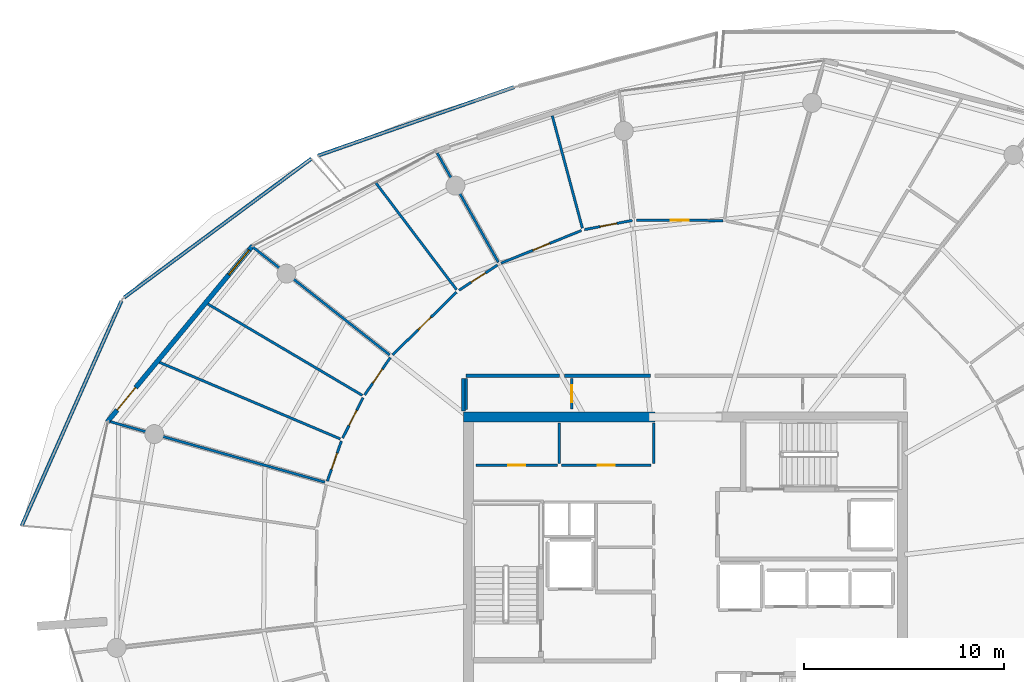
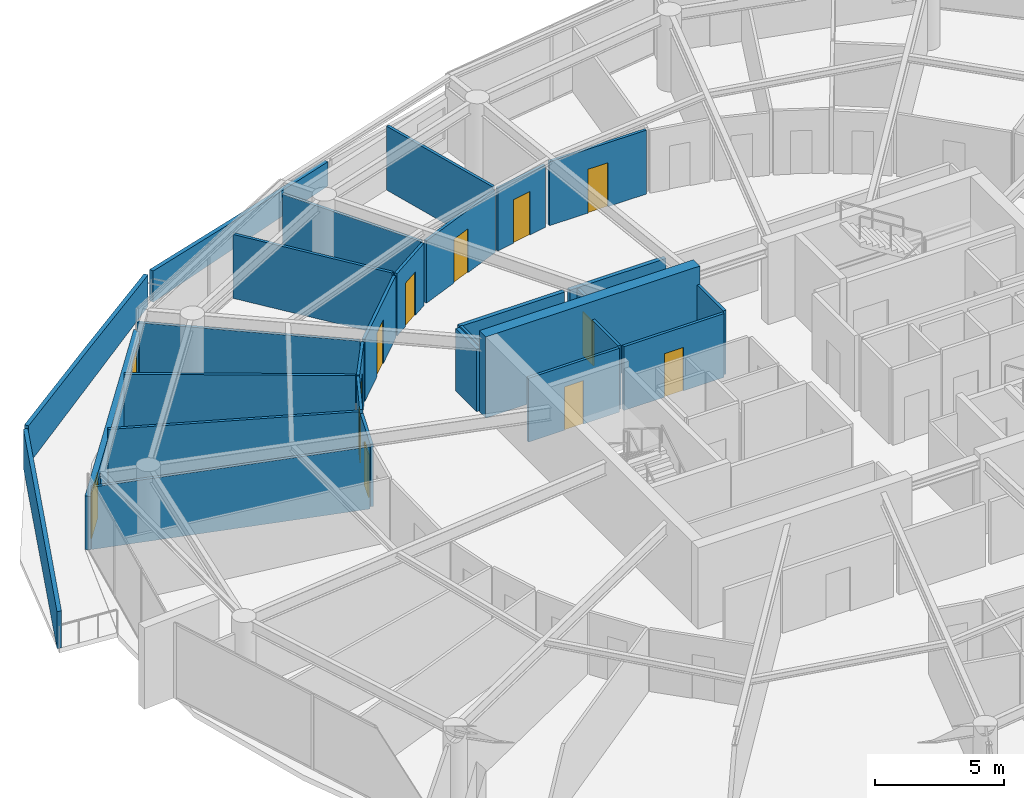
# One storey, part 21 of 30: 29 walls, 12 doors, 1 window, 13 openings.
"""IFC4 building model written with IfcOpenShell, lengths in metres."""

from ifc_helpers import new_model, si_unit, direction, frame, frame_2d, origin, place, context, subcontext, project, spatial, polyline, rectangle, outline, extrude, material, layer, layer_set, type_object, element, fill, save


model = new_model("IFC4")

# Units and contexts
model_context = context("Model", 3, precision=1e-05, world=origin(), true_north=direction((0.0, 1.0)))
body_context = subcontext(model_context, "Body", "Model", "MODEL_VIEW")
ifc_project = project(units=[si_unit("LENGTHUNIT", "METRE"), si_unit("AREAUNIT", "SQUARE_METRE"), si_unit("VOLUMEUNIT", "CUBIC_METRE"), si_unit("PLANEANGLEUNIT", "RADIAN"), si_unit("MASSUNIT", "GRAM", prefix="KILO")], contexts=[model_context])

# Site, building, storey
site_placement = place(None, origin())
site = spatial("IfcSite", under=ifc_project, at=site_placement, CompositionType="ELEMENT")
building_placement = place(site_placement, origin())
building = spatial("IfcBuilding", under=site, at=building_placement, Name="Kazma Halo Residences", CompositionType="ELEMENT")
storey_placement = place(building_placement, frame((0.0, 0.0, 294.449951171875)))
storey = spatial("IfcBuildingStorey", under=building, at=storey_placement, Name="L74", CompositionType="ELEMENT", Elevation=294.449951171875)

# Walls
ifc_material_1 = material(Name="White Concrete C50/60 Balustrade", Category="concrete")
ifc_layer_1 = layer(ifc_material_1, 0.179931640625)
ifc_layer_set_1 = layer_set([ifc_layer_1], Name="White Concrete C50/60 Balustrade")
wall_type_1 = type_object("IfcWallType", Name="WL-BAL-WAVE-180", PredefinedType="PARAPET", material=ifc_layer_set_1)
wall_1_placement = place(storey_placement, frame((39.826904296875, 66.76611328125, 0.0), z_axis=(0.0, 0.0, 1.0), x_axis=(-0.944003849273, -0.329934436757, 0.0)))
element("IfcWall", 1, at=wall_1_placement, inside=storey, type_object=wall_type_1, Name="L74 white wave balustrade wall NNW.2", PredefinedType="PARAPET", context=body_context, shape_type="SweptSolid", body=[
    extrude(outline(polyline([(0.0, 0.0), (10.405517578125, 0.0), (10.405517578125, 1.483154296875), (5.20263671875, 1.283935546875), (0.0, 1.14794921875), (0.0, 0.0)])), frame((0.0, 0.08984375, 0.0), z_axis=(0.0, -1.0, 0.0), x_axis=(1.0, 0.0, 0.0)), (0.0, 0.0, 1.0), 0.179931640625),
])
wall_2_placement = place(storey_placement, frame((29.681396484375, 63.184814453125, 0.0), z_axis=(0.0, 0.0, 1.0), x_axis=(-0.803330402034, -0.59553359701, 0.0)))
element("IfcWall", 2, at=wall_2_placement, inside=storey, type_object=wall_type_1, Name="L74 white wave balustrade wall NW.1", PredefinedType="PARAPET", context=body_context, shape_type="SweptSolid", body=[
    extrude(outline(polyline([(0.0, 0.0), (11.673828125, 0.0), (11.673828125, 1.83203125), (5.8369140625, 1.696044921875), (0.0, 1.4970703125), (0.0, 0.0)])), frame((0.0, 0.08984375, 0.0), z_axis=(0.0, -1.0, 0.0), x_axis=(1.0, 0.0, 0.0)), (0.0, 0.0, 1.0), 0.179931640625),
])
wall_3_placement = place(storey_placement, frame((20.158447265625, 56.051513671875, 0.0), z_axis=(0.0, 0.0, 1.0), x_axis=(-0.405327660322, -0.914171476135, 0.0)))
element("IfcWall", 3, at=wall_3_placement, inside=storey, type_object=wall_type_1, Name="L74 white wave balustrade wall NW.2", PredefinedType="PARAPET", context=body_context, shape_type="SweptSolid", body=[
    extrude(outline(polyline([(0.0, 0.0), (12.322998046875, 0.0), (12.322998046875, 1.756103515625), (6.16162109375, 1.85302734375), (0.0, 1.83203125), (0.0, 0.0)])), frame((0.0, 0.08984375, 0.0), z_axis=(0.0, -1.0, 0.0), x_axis=(1.0, 0.0, 0.0)), (0.0, 0.0, 1.0), 0.179931640625),
])
ifc_material_2 = material(Name="Concrete C60/75", Category="concrete")
ifc_layer_2 = layer(ifc_material_2, 0.5)
ifc_layer_set_2 = layer_set([ifc_layer_2], Name="Concrete C60/75")
wall_type_2 = type_object("IfcWallType", Name="WL-CORE-500", PredefinedType="SHEAR", material=ifc_layer_set_2)
wall_4_placement = place(storey_placement, frame((37.300048828125, 50.25, 0.0), z_axis=(0.0, 0.0, 1.0), x_axis=(1.0, 0.0, 0.0)))
element("IfcWall", 4, at=wall_4_placement, inside=storey, type_object=wall_type_2, Name="L74 central core shear wall NW", PredefinedType="SHEAR", context=body_context, shape_type="SweptSolid", body=[
    extrude(rectangle(XDim=9.599853515625, YDim=0.5, at=frame_2d((4.7998046875, 0.0))), origin(), (0.0, 0.0, 1.0), 3.85009765625),
])
ifc_material_3 = material(Name="Acoustic Twin-Stud Gypsum")
ifc_layer_3 = layer(ifc_material_3, 0.179931640625)
ifc_layer_set_3 = layer_set([ifc_layer_3], Name="Acoustic Twin-Stud Gypsum")
wall_type_3 = type_object("IfcWallType", Name="WL-DEM-180", PredefinedType="PARTITIONING", material=ifc_layer_set_3)
wall_5_placement = place(storey_placement, frame((46.660888671875, 52.300048828125, 0.0), z_axis=(0.0, 0.0, 1.0), x_axis=(-1.0, 0.0, 0.0)))
element("IfcWall", 5, at=wall_5_placement, inside=storey, type_object=wall_type_3, Name="L74 Apartment 2 inner wall 3", PredefinedType="PARTITIONING", context=body_context, shape_type="SweptSolid", body=[
    extrude(rectangle(XDim=4.30908203125, YDim=0.179931640625, at=frame_2d((2.154541015625, 0.0))), origin(), (0.0, 0.0, 1.0), 2.95703125),
])
wall_6_placement = place(storey_placement, frame((42.11181640625, 52.300048828125, 0.0), z_axis=(0.0, 0.0, 1.0), x_axis=(-1.0, 0.0, 0.0)))
element("IfcWall", 6, at=wall_6_placement, inside=storey, type_object=wall_type_3, Name="L74 Apartment 2 inner wall 4", PredefinedType="PARTITIONING", context=body_context, shape_type="SweptSolid", body=[
    extrude(rectangle(XDim=4.69189453125, YDim=0.179931640625, at=frame_2d((2.345947265625, 0.0))), origin(), (0.0, 0.0, 1.0), 2.95703125),
])
wall_7_placement = place(storey_placement, frame((37.300048828125, 52.179931640625, 0.0), z_axis=(0.0, 0.0, 1.0), x_axis=(0.0, -1.0, 0.0)))
element("IfcWall", 7, at=wall_7_placement, inside=storey, type_object=wall_type_3, Name="L74 Apartment 2 inner wall 4", PredefinedType="PARTITIONING", context=body_context, shape_type="SweptSolid", body=[
    extrude(rectangle(XDim=1.624755859375, YDim=0.179931640625, at=frame_2d((0.8125, 0.0))), origin(), (0.0, 0.0, 1.0), 2.95703125),
])

# Wall, openings, door, window
ifc_material_4 = material(Name="Insulated Pale-Metal Composite Wall")
ifc_layer_4 = layer(ifc_material_4, 0.239990234375)
ifc_layer_set_4 = layer_set([ifc_layer_4], Name="Insulated Pale-Metal Composite Wall")
wall_type_4 = type_object("IfcWallType", Name="WL-EXT-HOST-240", PredefinedType="SOLIDWALL", material=ifc_layer_set_4)
wall_8_placement = place(storey_placement, frame((26.7421875, 58.822021484375, 0.0), z_axis=(0.0, 0.0, 1.0), x_axis=(-0.636680093065, -0.771128043255, 0.0)))
wall_8 = element("IfcWall", 8, at=wall_8_placement, inside=storey, type_object=wall_type_4, Name="L74 exterior terrace-access wall B06", PredefinedType="SOLIDWALL", context=body_context, shape_type="SweptSolid", body=[
    extrude(rectangle(XDim=11.438232421875, YDim=0.239990234375, at=frame_2d((5.71923828125, 0.0))), origin(), (0.0, 0.0, 1.0), 2.5400390625),
])
opening_1_placement = place(wall_8_placement, frame((9.21826171875, 0.0, 0.0)))
opening_1 = element("IfcOpeningElement", 9, at=opening_1_placement, cuts=wall_8, Name="Opening DTR-1600", PredefinedType="OPENING", context=body_context, shape_type="SweptSolid", body=[
    extrude(rectangle(XDim=1.449951171875, YDim=2.14990234375, at=frame_2d((0.72509765625, 1.074951171875))), frame((0.0, 0.1298828125, 0.0), z_axis=(0.0, -1.0, 0.0), x_axis=(1.0, 0.0, 0.0)), (0.0, 0.0, 1.0), 0.260009765625),
])
opening_2_placement = place(wall_8_placement, frame((0.280029296875, 0.0, 0.64990234375)))
opening_2 = element("IfcOpeningElement", 10, at=opening_2_placement, cuts=wall_8, Name="Opening W-1800", PredefinedType="OPENING", context=body_context, shape_type="SweptSolid", body=[
    extrude(rectangle(XDim=1.60009765625, YDim=1.5, at=frame_2d((0.800048828125, 0.75))), frame((0.0, 0.1298828125, 0.0), z_axis=(0.0, -1.0, 0.0), x_axis=(1.0, 0.0, 0.0)), (0.0, 0.0, 1.0), 0.260009765625),
])
ifc_material_5 = material(Name="Aluminium AW-6063 T6 Double-Glazed Terrace Door", Category="aluminium")
door_type_1 = type_object("IfcDoorType", Name="DR-EXT-TERR-1600", OperationType="NOTDEFINED", PredefinedType="DOOR", material=ifc_material_5)
door_1_placement = place(opening_1_placement, origin())
door_1 = element("IfcDoor", 11, at=door_1_placement, inside=storey, type_object=door_type_1, Name="L74 B06 balcony terrace door", OperationType="DOUBLE_DOOR_SLIDING", OverallHeight=2.14990234375, OverallWidth=1.449951171875, PredefinedType="DOOR", context=body_context, shape_type="SweptSolid", body=[
    extrude(rectangle(XDim=1.449951171875, YDim=2.14990234375, at=frame_2d((0.72509765625, 1.074951171875))), frame((0.0, 0.02490234375, 0.0), z_axis=(0.0, -1.0, 0.0), x_axis=(1.0, 0.0, 0.0)), (0.0, 0.0, 1.0), 0.050048828125),
])
fill(opening_1, door_1)
ifc_material_6 = material(Name="Clear Triple-Silver Low-E Glass in Aluminium AW-6063 T6 Frame", Category="aluminium")
window_type = type_object("IfcWindowType", Name="WIN-RES-1800", PartitioningType="DOUBLE_PANEL_VERTICAL", PredefinedType="WINDOW", material=ifc_material_6)
window_placement = place(opening_2_placement, origin())
window = element("IfcWindow", 12, at=window_placement, inside=storey, type_object=window_type, Name="L74 B06 apartment window", OverallHeight=1.5, OverallWidth=1.60009765625, PartitioningType="SINGLE_PANEL", PredefinedType="WINDOW", context=body_context, shape_type="SweptSolid", body=[
    extrude(rectangle(XDim=1.60009765625, YDim=1.5, at=frame_2d((0.800048828125, 0.75))), frame((0.0, 0.030029296875, 0.0), z_axis=(0.0, -1.0, 0.0), x_axis=(1.0, 0.0, 0.0)), (0.0, 0.0, 1.0), 0.06005859375),
])
fill(opening_2, window)

# Walls
ifc_material_7 = material(Name="Gypsum Plasterboard Partition")
ifc_layer_5 = layer(ifc_material_7, 0.125)
ifc_layer_set_5 = layer_set([ifc_layer_5], Name="Gypsum Plasterboard Partition")
wall_type_5 = type_object("IfcWallType", Name="WL-PART-125", PredefinedType="PARTITIONING", material=ifc_layer_set_5)
for number, where, z_axis, x_axis, name in (
    (13, (46.820068359375, 47.919921875, 0.0), (0.0, 0.0, 1.0), (0.0, 1.0, 0.0), "L74 reclaimed north east wall"),
    (14, (42.10009765625, 47.919921875, 0.0), (0.0, 0.0, 1.0), (0.0, 1.0, 0.0), "L74 reclaimed north divider wall"),
):
    element("IfcWall", number, at=place(storey_placement, frame(where, z_axis=z_axis, x_axis=x_axis)), inside=storey, type_object=wall_type_5, Name=name, PredefinedType="PARTITIONING", context=body_context, shape_type="SweptSolid", body=[
        extrude(rectangle(XDim=2.030029296875, YDim=0.125, at=frame_2d((1.01513671875, 0.0))), origin(), (0.0, 0.0, 1.0), 3.030029296875),
    ])

# Wall, opening, door
wall_9_placement = place(storey_placement, frame((37.919921875, 47.820068359375, 0.0), z_axis=(0.0, 0.0, 1.0), x_axis=(1.0, 0.0, 0.0)))
wall_9 = element("IfcWall", 15, at=wall_9_placement, inside=storey, type_object=wall_type_5, Name="L74 reclaimed north W front wall", PredefinedType="PARTITIONING", context=body_context, shape_type="SweptSolid", body=[
    extrude(rectangle(XDim=4.080078125, YDim=0.125, at=frame_2d((2.0400390625, 0.0))), origin(), (0.0, 0.0, 1.0), 3.030029296875),
])
opening_3_placement = place(wall_9_placement, frame((1.614990234375, 0.0, 0.0)))
opening_3 = element("IfcOpeningElement", 16, at=opening_3_placement, cuts=wall_9, Name="Opening DS-850", PredefinedType="OPENING", context=body_context, shape_type="SweptSolid", body=[
    extrude(rectangle(XDim=0.85009765625, YDim=2.06005859375, at=frame_2d((0.425048828125, 1.030029296875))), frame((0.0, 0.072509765625, 0.0), z_axis=(0.0, -1.0, 0.0), x_axis=(1.0, 0.0, 0.0)), (0.0, 0.0, 1.0), 0.14501953125),
])
ifc_material_8 = material(Name="Painted Steel Access Leaf", Category="steel")
door_type_2 = type_object("IfcDoorType", Name="DR-SVC-850", OperationType="NOTDEFINED", PredefinedType="DOOR", material=ifc_material_8)
door_2_placement = place(opening_3_placement, origin())
door_2 = element("IfcDoor", 17, at=door_2_placement, inside=storey, type_object=door_type_2, Name="L74 reclaimed north W door", OperationType="SINGLE_SWING_RIGHT", OverallHeight=2.06005859375, OverallWidth=0.85009765625, PredefinedType="DOOR", context=body_context, shape_type="SweptSolid", body=[
    extrude(rectangle(XDim=0.85009765625, YDim=2.06005859375, at=frame_2d((0.425048828125, 1.030029296875))), frame((0.0, 0.02490234375, 0.0), z_axis=(0.0, -1.0, 0.0), x_axis=(1.0, 0.0, 0.0)), (0.0, 0.0, 1.0), 0.050048828125),
])
fill(opening_3, door_2)

wall_10_placement = place(storey_placement, frame((42.199951171875, 47.820068359375, 0.0), z_axis=(0.0, 0.0, 1.0), x_axis=(1.0, 0.0, 0.0)))
wall_10 = element("IfcWall", 18, at=wall_10_placement, inside=storey, type_object=wall_type_5, Name="L74 reclaimed north E front wall", PredefinedType="PARTITIONING", context=body_context, shape_type="SweptSolid", body=[
    extrude(rectangle(XDim=4.5, YDim=0.125, at=frame_2d((2.25, 0.0))), origin(), (0.0, 0.0, 1.0), 3.030029296875),
])
opening_4_placement = place(wall_10_placement, frame((1.824951171875, 0.0, 0.0)))
opening_4 = element("IfcOpeningElement", 19, at=opening_4_placement, cuts=wall_10, Name="Opening DS-850", PredefinedType="OPENING", context=body_context, shape_type="SweptSolid", body=[
    extrude(rectangle(XDim=0.85009765625, YDim=2.06005859375, at=frame_2d((0.425048828125, 1.030029296875))), frame((0.0, 0.072509765625, 0.0), z_axis=(0.0, -1.0, 0.0), x_axis=(1.0, 0.0, 0.0)), (0.0, 0.0, 1.0), 0.14501953125),
])
door_3_placement = place(opening_4_placement, origin())
door_3 = element("IfcDoor", 20, at=door_3_placement, inside=storey, type_object=door_type_2, Name="L74 reclaimed north E door", OperationType="SINGLE_SWING_LEFT", OverallHeight=2.06005859375, OverallWidth=0.85009765625, PredefinedType="DOOR", context=body_context, shape_type="SweptSolid", body=[
    extrude(rectangle(XDim=0.85009765625, YDim=2.06005859375, at=frame_2d((0.425048828125, 1.030029296875))), frame((0.0, 0.02490234375, 0.0), z_axis=(0.0, -1.0, 0.0), x_axis=(1.0, 0.0, 0.0)), (0.0, 0.0, 1.0), 0.050048828125),
])
fill(opening_4, door_3)

# Wall
wall_11_placement = place(storey_placement, frame((37.43994140625, 50.6201171875, 0.0), z_axis=(0.0, 0.0, 1.0), x_axis=(0.0, 1.0, 0.0)))
element("IfcWall", 21, at=wall_11_placement, inside=storey, type_object=wall_type_5, Name="L74 west linen end wall", PredefinedType="PARTITIONING", context=body_context, shape_type="SweptSolid", body=[
    extrude(rectangle(XDim=1.539794921875, YDim=0.125, at=frame_2d((0.77001953125, 0.0))), origin(), (0.0, 0.0, 1.0), 3.030029296875),
])

# Wall, opening, door
wall_12_placement = place(storey_placement, frame((42.7099609375, 50.639892578125, 0.0), z_axis=(0.0, 0.0, 1.0), x_axis=(0.0, 1.0, 0.0)))
wall_12 = element("IfcWall", 22, at=wall_12_placement, inside=storey, type_object=wall_type_5, Name="L74 floor linen store door wall", PredefinedType="PARTITIONING", context=body_context, shape_type="SweptSolid", body=[
    extrude(rectangle(XDim=1.52001953125, YDim=0.125, at=frame_2d((0.760009765625, 0.0))), origin(), (0.0, 0.0, 1.0), 2.95703125),
])
opening_5_placement = place(wall_12_placement, frame((0.3349609375, 0.0, 0.0)))
opening_5 = element("IfcOpeningElement", 23, at=opening_5_placement, cuts=wall_12, Name="Opening DS-850", PredefinedType="OPENING", context=body_context, shape_type="SweptSolid", body=[
    extrude(rectangle(XDim=0.85009765625, YDim=2.06005859375, at=frame_2d((0.425048828125, 1.030029296875))), frame((0.0, 0.072509765625, 0.0), z_axis=(0.0, -1.0, 0.0), x_axis=(1.0, 0.0, 0.0)), (0.0, 0.0, 1.0), 0.14501953125),
])
door_4_placement = place(opening_5_placement, origin())
door_4 = element("IfcDoor", 24, at=door_4_placement, inside=storey, type_object=door_type_2, Name="L74 floor linen store door", OperationType="SINGLE_SWING_LEFT", OverallHeight=2.06005859375, OverallWidth=0.85009765625, PredefinedType="DOOR", context=body_context, shape_type="SweptSolid", body=[
    extrude(rectangle(XDim=0.85009765625, YDim=2.06005859375, at=frame_2d((0.425048828125, 1.030029296875))), frame((0.0, 0.02490234375, 0.0), z_axis=(0.0, -1.0, 0.0), x_axis=(1.0, 0.0, 0.0)), (0.0, 0.0, 1.0), 0.050048828125),
])
fill(opening_5, door_4)

wall_13_placement = place(storey_placement, frame((50.290771484375, 60.081787109375, 0.0), z_axis=(0.0, 0.0, 1.0), x_axis=(-0.999980453918, 0.006252342161, 0.0)))
wall_13 = element("IfcWall", 25, at=wall_13_placement, inside=storey, type_object=wall_type_5, Name="L74 Apartment 2 Primary Formal Dining Room hall wall", PredefinedType="PARTITIONING", context=body_context, shape_type="SweptSolid", body=[
    extrude(rectangle(XDim=4.334228515625, YDim=0.125, at=frame_2d((2.1669921875, 0.0))), origin(), (0.0, 0.0, 1.0), 3.030029296875),
])
opening_6_placement = place(wall_13_placement, frame((1.717041015625, 0.0, 0.0)))
opening_6 = element("IfcOpeningElement", 26, at=opening_6_placement, cuts=wall_13, Name="Opening DI-950", PredefinedType="OPENING", context=body_context, shape_type="SweptSolid", body=[
    extrude(rectangle(XDim=0.89990234375, YDim=2.080078125, at=frame_2d((0.449951171875, 1.0400390625))), frame((0.0, 0.072509765625, 0.0), z_axis=(0.0, -1.0, 0.0), x_axis=(1.0, 0.0, 0.0)), (0.0, 0.0, 1.0), 0.14501953125),
])
ifc_material_9 = material(Name="Timber Veneer Flush Leaf", Category="wood")
door_type_3 = type_object("IfcDoorType", Name="DR-INT-950", OperationType="NOTDEFINED", PredefinedType="DOOR", material=ifc_material_9)
door_5_placement = place(opening_6_placement, origin())
door_5 = element("IfcDoor", 27, at=door_5_placement, inside=storey, type_object=door_type_3, Name="L74 Apartment 2 Primary Formal Dining Room door", OperationType="SINGLE_SWING_RIGHT", OverallHeight=2.080078125, OverallWidth=0.89990234375, PredefinedType="DOOR", context=body_context, shape_type="SweptSolid", body=[
    extrude(rectangle(XDim=0.89990234375, YDim=2.080078125, at=frame_2d((0.449951171875, 1.0400390625))), frame((0.0, 0.02490234375, 0.0), z_axis=(0.0, -1.0, 0.0), x_axis=(1.0, 0.0, 0.0)), (0.0, 0.0, 1.0), 0.050048828125),
])
fill(opening_6, door_5)

# Wall
wall_14_placement = place(storey_placement, frame((43.254638671875, 59.700927734375, 0.0), z_axis=(0.0, 0.0, 1.0), x_axis=(-0.258974129201, 0.965884258286, 0.0)))
element("IfcWall", 28, at=wall_14_placement, inside=storey, type_object=wall_type_5, Name="L74 Apartment 2 mid-bay wall 3", PredefinedType="PARTITIONING", context=body_context, shape_type="SweptSolid", body=[
    extrude(rectangle(XDim=5.826904296875, YDim=0.125, at=frame_2d((2.91357421875, 0.0))), origin(), (0.0, 0.0, 1.0), 3.030029296875),
])

# Wall, opening, door
wall_15_placement = place(storey_placement, frame((45.75830078125, 60.0908203125, 0.0), z_axis=(0.0, 0.0, 1.0), x_axis=(-0.982023530452, -0.188758537923, 0.0)))
wall_15 = element("IfcWall", 29, at=wall_15_placement, inside=storey, type_object=wall_type_5, Name="L74 Apartment 2 Secondary Dressing Wardrobe hall wall", PredefinedType="PARTITIONING", context=body_context, shape_type="SweptSolid", body=[
    extrude(rectangle(XDim=2.44580078125, YDim=0.125, at=frame_2d((1.222900390625, 0.0))), origin(), (0.0, 0.0, 1.0), 2.95703125),
])
opening_7_placement = place(wall_15_placement, frame((0.7978515625, 0.0, 0.0)))
opening_7 = element("IfcOpeningElement", 30, at=opening_7_placement, cuts=wall_15, Name="Opening DB-900", PredefinedType="OPENING", context=body_context, shape_type="SweptSolid", body=[
    extrude(rectangle(XDim=0.85009765625, YDim=2.06005859375, at=frame_2d((0.425048828125, 1.030029296875))), frame((0.0, 0.072509765625, 0.0), z_axis=(0.0, -1.0, 0.0), x_axis=(1.0, 0.0, 0.0)), (0.0, 0.0, 1.0), 0.14501953125),
])
ifc_material_10 = material(Name="Moisture-Sealed Timber Leaf", Category="wood")
door_type_4 = type_object("IfcDoorType", Name="DR-BTH-900", OperationType="NOTDEFINED", PredefinedType="DOOR", material=ifc_material_10)
door_6_placement = place(opening_7_placement, origin())
door_6 = element("IfcDoor", 31, at=door_6_placement, inside=storey, type_object=door_type_4, Name="L74 Apartment 2 Secondary Dressing Wardrobe door", OperationType="SINGLE_SWING_RIGHT", OverallHeight=2.06005859375, OverallWidth=0.85009765625, PredefinedType="DOOR", context=body_context, shape_type="SweptSolid", body=[
    extrude(rectangle(XDim=0.85009765625, YDim=2.06005859375, at=frame_2d((0.425048828125, 1.030029296875))), frame((0.0, 0.02490234375, 0.0), z_axis=(0.0, -1.0, 0.0), x_axis=(1.0, 0.0, 0.0)), (0.0, 0.0, 1.0), 0.050048828125),
])
fill(opening_7, door_6)

wall_16_placement = place(storey_placement, frame((43.203857421875, 59.583984375, 0.0), z_axis=(0.0, 0.0, 1.0), x_axis=(-0.926332321747, -0.376707352843, 0.0)))
wall_16 = element("IfcWall", 32, at=wall_16_placement, inside=storey, type_object=wall_type_5, Name="L74 Apartment 2 East Master Bedroom hall wall", PredefinedType="PARTITIONING", context=body_context, shape_type="SweptSolid", body=[
    extrude(rectangle(XDim=4.341552734375, YDim=0.125, at=frame_2d((2.1708984375, 0.0))), origin(), (0.0, 0.0, 1.0), 2.95703125),
])
opening_8_placement = place(wall_16_placement, frame((1.720703125, 0.0, 0.0)))
opening_8 = element("IfcOpeningElement", 33, at=opening_8_placement, cuts=wall_16, Name="Opening DI-950", PredefinedType="OPENING", context=body_context, shape_type="SweptSolid", body=[
    extrude(rectangle(XDim=0.89990234375, YDim=2.080078125, at=frame_2d((0.449951171875, 1.0400390625))), frame((0.0, 0.072509765625, 0.0), z_axis=(0.0, -1.0, 0.0), x_axis=(1.0, 0.0, 0.0)), (0.0, 0.0, 1.0), 0.14501953125),
])
door_7_placement = place(opening_8_placement, origin())
door_7 = element("IfcDoor", 34, at=door_7_placement, inside=storey, type_object=door_type_3, Name="L74 Apartment 2 East Master Bedroom door", OperationType="SINGLE_SWING_LEFT", OverallHeight=2.080078125, OverallWidth=0.89990234375, PredefinedType="DOOR", context=body_context, shape_type="SweptSolid", body=[
    extrude(rectangle(XDim=0.89990234375, YDim=2.080078125, at=frame_2d((0.449951171875, 1.0400390625))), frame((0.0, 0.02490234375, 0.0), z_axis=(0.0, -1.0, 0.0), x_axis=(1.0, 0.0, 0.0)), (0.0, 0.0, 1.0), 0.050048828125),
])
fill(opening_8, door_7)

# Walls
wall_17_placement = place(storey_placement, frame((39.04052734375, 57.998046875, 0.0), z_axis=(0.0, 0.0, 1.0), x_axis=(-0.488617622803, 0.872498033629, 0.0)))
element("IfcWall", 35, at=wall_17_placement, inside=storey, type_object=wall_type_5, Name="L74 Apartment 2 radial partition 4", PredefinedType="PARTITIONING", context=body_context, shape_type="SweptSolid", body=[
    extrude(rectangle(XDim=6.2587890625, YDim=0.125, at=frame_2d((3.12939453125, 0.0))), origin(), (0.0, 0.0, 1.0), 2.95703125),
])
wall_18_placement = place(storey_placement, frame((36.95068359375, 56.620361328125, 0.0), z_axis=(0.0, 0.0, 1.0), x_axis=(-0.602918531989, 0.797802759951, 0.0)))
element("IfcWall", 36, at=wall_18_placement, inside=storey, type_object=wall_type_5, Name="L74 Apartment 2 mid-bay wall 4", PredefinedType="PARTITIONING", context=body_context, shape_type="SweptSolid", body=[
    extrude(rectangle(XDim=6.709716796875, YDim=0.125, at=frame_2d((3.35498046875, 0.0))), origin(), (0.0, 0.0, 1.0), 3.030029296875),
])

# Wall, opening, door
wall_19_placement = place(storey_placement, frame((39.005859375, 57.856201171875, 0.0), z_axis=(0.0, 0.0, 1.0), x_axis=(-0.837071991575, -0.547092753489, 0.0)))
wall_19 = element("IfcWall", 37, at=wall_19_placement, inside=storey, type_object=wall_type_5, Name="L74 Apartment 2 West Wine Pantry Store hall wall", PredefinedType="PARTITIONING", context=body_context, shape_type="SweptSolid", body=[
    extrude(rectangle(XDim=2.310302734375, YDim=0.125, at=frame_2d((1.1552734375, 0.0))), origin(), (0.0, 0.0, 1.0), 2.95703125),
])
opening_9_placement = place(wall_19_placement, frame((0.72998046875, 0.0, 0.0)))
opening_9 = element("IfcOpeningElement", 38, at=opening_9_placement, cuts=wall_19, Name="Opening DB-900", PredefinedType="OPENING", context=body_context, shape_type="SweptSolid", body=[
    extrude(rectangle(XDim=0.85009765625, YDim=2.06005859375, at=frame_2d((0.425048828125, 1.030029296875))), frame((0.0, 0.072509765625, 0.0), z_axis=(0.0, -1.0, 0.0), x_axis=(1.0, 0.0, 0.0)), (0.0, 0.0, 1.0), 0.14501953125),
])
door_8_placement = place(opening_9_placement, origin())
door_8 = element("IfcDoor", 39, at=door_8_placement, inside=storey, type_object=door_type_4, Name="L74 Apartment 2 West Wine Pantry Store door", OperationType="SINGLE_SWING_LEFT", OverallHeight=2.06005859375, OverallWidth=0.85009765625, PredefinedType="DOOR", context=body_context, shape_type="SweptSolid", body=[
    extrude(rectangle(XDim=0.85009765625, YDim=2.06005859375, at=frame_2d((0.425048828125, 1.030029296875))), frame((0.0, 0.02490234375, 0.0), z_axis=(0.0, -1.0, 0.0), x_axis=(1.0, 0.0, 0.0)), (0.0, 0.0, 1.0), 0.050048828125),
])
fill(opening_9, door_8)

wall_20_placement = place(storey_placement, frame((36.947998046875, 56.49267578125, 0.0), z_axis=(0.0, 0.0, 1.0), x_axis=(-0.714296261594, -0.69984344726, 0.0)))
wall_20 = element("IfcWall", 40, at=wall_20_placement, inside=storey, type_object=wall_type_5, Name="L74 Apartment 2 North Formal Dining Room hall wall", PredefinedType="PARTITIONING", context=body_context, shape_type="SweptSolid", body=[
    extrude(rectangle(XDim=4.4765625, YDim=0.125, at=frame_2d((2.23828125, 0.0))), origin(), (0.0, 0.0, 1.0), 2.95703125),
])
opening_10_placement = place(wall_20_placement, frame((1.7880859375, 0.0, 0.0)))
opening_10 = element("IfcOpeningElement", 41, at=opening_10_placement, cuts=wall_20, Name="Opening DI-950", PredefinedType="OPENING", context=body_context, shape_type="SweptSolid", body=[
    extrude(rectangle(XDim=0.89990234375, YDim=2.080078125, at=frame_2d((0.449951171875, 1.0400390625))), frame((0.0, 0.072509765625, 0.0), z_axis=(0.0, -1.0, 0.0), x_axis=(1.0, 0.0, 0.0)), (0.0, 0.0, 1.0), 0.14501953125),
])
door_9_placement = place(opening_10_placement, origin())
door_9 = element("IfcDoor", 42, at=door_9_placement, inside=storey, type_object=door_type_3, Name="L74 Apartment 2 North Formal Dining Room door", OperationType="SINGLE_SWING_RIGHT", OverallHeight=2.080078125, OverallWidth=0.89990234375, PredefinedType="DOOR", context=body_context, shape_type="SweptSolid", body=[
    extrude(rectangle(XDim=0.89990234375, YDim=2.080078125, at=frame_2d((0.449951171875, 1.0400390625))), frame((0.0, 0.02490234375, 0.0), z_axis=(0.0, -1.0, 0.0), x_axis=(1.0, 0.0, 0.0)), (0.0, 0.0, 1.0), 0.050048828125),
])
fill(opening_10, door_9)

# Walls
wall_21_placement = place(storey_placement, frame((33.6005859375, 53.351806640625, 0.0), z_axis=(0.0, 0.0, 1.0), x_axis=(-0.785335435896, 0.619070475088, 0.0)))
element("IfcWall", 43, at=wall_21_placement, inside=storey, type_object=wall_type_5, Name="L74 Apartment 2 radial partition 5", PredefinedType="PARTITIONING", context=body_context, shape_type="SweptSolid", body=[
    extrude(rectangle(XDim=8.74853515625, YDim=0.125, at=frame_2d((4.374267578125, 0.0))), origin(), (0.0, 0.0, 1.0), 2.95703125),
])
wall_22_placement = place(storey_placement, frame((32.22607421875, 51.32861328125, 0.0), z_axis=(0.0, 0.0, 1.0), x_axis=(-0.860733895342, 0.50905516539, 0.0)))
element("IfcWall", 44, at=wall_22_placement, inside=storey, type_object=wall_type_5, Name="L74 Apartment 2 bay wall 1 5", PredefinedType="PARTITIONING", context=body_context, shape_type="SweptSolid", body=[
    extrude(rectangle(XDim=8.985107421875, YDim=0.125, at=frame_2d((4.49267578125, 0.0))), origin(), (0.0, 0.0, 1.0), 3.030029296875),
])
wall_23_placement = place(storey_placement, frame((31.12451171875, 49.145751953125, 0.0), z_axis=(0.0, 0.0, 1.0), x_axis=(-0.920847570418, 0.389922751395, 0.0)))
element("IfcWall", 45, at=wall_23_placement, inside=storey, type_object=wall_type_5, Name="L74 Apartment 2 bay wall 2 5", PredefinedType="PARTITIONING", context=body_context, shape_type="SweptSolid", body=[
    extrude(rectangle(XDim=9.82958984375, YDim=0.125, at=frame_2d((4.914794921875, 0.0))), origin(), (0.0, 0.0, 1.0), 3.030029296875),
])

# Wall, opening, door
wall_24_placement = place(storey_placement, frame((33.6337890625, 53.223876953125, 0.0), z_axis=(0.0, 0.0, 1.0), x_axis=(-0.565361367763, -0.824843332907, 0.0)))
wall_24 = element("IfcWall", 46, at=wall_24_placement, inside=storey, type_object=wall_type_5, Name="L74 Apartment 2 South Bedroom hall wall", PredefinedType="PARTITIONING", context=body_context, shape_type="SweptSolid", body=[
    extrude(rectangle(XDim=2.273193359375, YDim=0.125, at=frame_2d((1.13671875, 0.0))), origin(), (0.0, 0.0, 1.0), 2.95703125),
])
opening_11_placement = place(wall_24_placement, frame((0.71142578125, 0.0, 0.0)))
opening_11 = element("IfcOpeningElement", 47, at=opening_11_placement, cuts=wall_24, Name="Opening DB-900", PredefinedType="OPENING", context=body_context, shape_type="SweptSolid", body=[
    extrude(rectangle(XDim=0.85009765625, YDim=2.06005859375, at=frame_2d((0.425048828125, 1.030029296875))), frame((0.0, 0.072509765625, 0.0), z_axis=(0.0, -1.0, 0.0), x_axis=(1.0, 0.0, 0.0)), (0.0, 0.0, 1.0), 0.14501953125),
])
door_10_placement = place(opening_11_placement, origin())
door_10 = element("IfcDoor", 48, at=door_10_placement, inside=storey, type_object=door_type_4, Name="L74 Apartment 2 South Bedroom door", OperationType="SINGLE_SWING_LEFT", OverallHeight=2.06005859375, OverallWidth=0.85009765625, PredefinedType="DOOR", context=body_context, shape_type="SweptSolid", body=[
    extrude(rectangle(XDim=0.85009765625, YDim=2.06005859375, at=frame_2d((0.425048828125, 1.030029296875))), frame((0.0, 0.02490234375, 0.0), z_axis=(0.0, -1.0, 0.0), x_axis=(1.0, 0.0, 0.0)), (0.0, 0.0, 1.0), 0.050048828125),
])
fill(opening_11, door_10)

wall_25_placement = place(storey_placement, frame((32.267578125, 51.21142578125, 0.0), z_axis=(0.0, 0.0, 1.0), x_axis=(-0.4505614742, -0.892745404898, 0.0)))
wall_25 = element("IfcWall", 49, at=wall_25_placement, inside=storey, type_object=wall_type_5, Name="L74 Apartment 2 Inner Dressing Wardrobe hall wall", PredefinedType="PARTITIONING", context=body_context, shape_type="SweptSolid", body=[
    extrude(rectangle(XDim=2.273193359375, YDim=0.125, at=frame_2d((1.13671875, 0.0))), origin(), (0.0, 0.0, 1.0), 3.030029296875),
])
opening_12_placement = place(wall_25_placement, frame((0.711669921875, 0.0, 0.0)))
opening_12 = element("IfcOpeningElement", 50, at=opening_12_placement, cuts=wall_25, Name="Opening DB-900", PredefinedType="OPENING", context=body_context, shape_type="SweptSolid", body=[
    extrude(rectangle(XDim=0.85009765625, YDim=2.06005859375, at=frame_2d((0.425048828125, 1.030029296875))), frame((0.0, 0.072509765625, 0.0), z_axis=(0.0, -1.0, 0.0), x_axis=(1.0, 0.0, 0.0)), (0.0, 0.0, 1.0), 0.14501953125),
])
door_11_placement = place(opening_12_placement, origin())
door_11 = element("IfcDoor", 51, at=door_11_placement, inside=storey, type_object=door_type_4, Name="L74 Apartment 2 Inner Dressing Wardrobe door", OperationType="SINGLE_SWING_RIGHT", OverallHeight=2.06005859375, OverallWidth=0.85009765625, PredefinedType="DOOR", context=body_context, shape_type="SweptSolid", body=[
    extrude(rectangle(XDim=0.85009765625, YDim=2.06005859375, at=frame_2d((0.425048828125, 1.030029296875))), frame((0.0, 0.02490234375, 0.0), z_axis=(0.0, -1.0, 0.0), x_axis=(1.0, 0.0, 0.0)), (0.0, 0.0, 1.0), 0.050048828125),
])
fill(opening_12, door_11)

wall_26_placement = place(storey_placement, frame((31.180908203125, 49.03515625, 0.0), z_axis=(0.0, 0.0, 1.0), x_axis=(-0.331350883475, -0.943507600404, 0.0)))
wall_26 = element("IfcWall", 52, at=wall_26_placement, inside=storey, type_object=wall_type_5, Name="L74 Apartment 2 Outer Bedroom hall wall", PredefinedType="PARTITIONING", context=body_context, shape_type="SweptSolid", body=[
    extrude(rectangle(XDim=2.130126953125, YDim=0.125, at=frame_2d((1.06494140625, 0.0))), origin(), (0.0, 0.0, 1.0), 2.95703125),
])
opening_13_placement = place(wall_26_placement, frame((0.639892578125, 0.0, 0.0)))
opening_13 = element("IfcOpeningElement", 53, at=opening_13_placement, cuts=wall_26, Name="Opening DB-900", PredefinedType="OPENING", context=body_context, shape_type="SweptSolid", body=[
    extrude(rectangle(XDim=0.85009765625, YDim=2.06005859375, at=frame_2d((0.425048828125, 1.030029296875))), frame((0.0, 0.072509765625, 0.0), z_axis=(0.0, -1.0, 0.0), x_axis=(1.0, 0.0, 0.0)), (0.0, 0.0, 1.0), 0.14501953125),
])
door_12_placement = place(opening_13_placement, origin())
door_12 = element("IfcDoor", 54, at=door_12_placement, inside=storey, type_object=door_type_4, Name="L74 Apartment 2 Outer Bedroom door", OperationType="SINGLE_SWING_LEFT", OverallHeight=2.06005859375, OverallWidth=0.85009765625, PredefinedType="DOOR", context=body_context, shape_type="SweptSolid", body=[
    extrude(rectangle(XDim=0.85009765625, YDim=2.06005859375, at=frame_2d((0.425048828125, 1.030029296875))), frame((0.0, 0.02490234375, 0.0), z_axis=(0.0, -1.0, 0.0), x_axis=(1.0, 0.0, 0.0)), (0.0, 0.0, 1.0), 0.050048828125),
])
fill(opening_13, door_12)

# Wall
wall_27_placement = place(storey_placement, frame((30.3525390625, 46.97705078125, 0.0), z_axis=(0.0, 0.0, 1.0), x_axis=(-0.962452900165, 0.271448733583, 0.0)))
element("IfcWall", 55, at=wall_27_placement, inside=storey, type_object=wall_type_5, Name="L74 Apartment 2 radial partition 6", PredefinedType="PARTITIONING", context=body_context, shape_type="SweptSolid", body=[
    extrude(rectangle(XDim=11.15966796875, YDim=0.125, at=frame_2d((5.579833984375, 0.0))), origin(), (0.0, 0.0, 1.0), 2.95703125),
])

save(model, "model.ifc")
